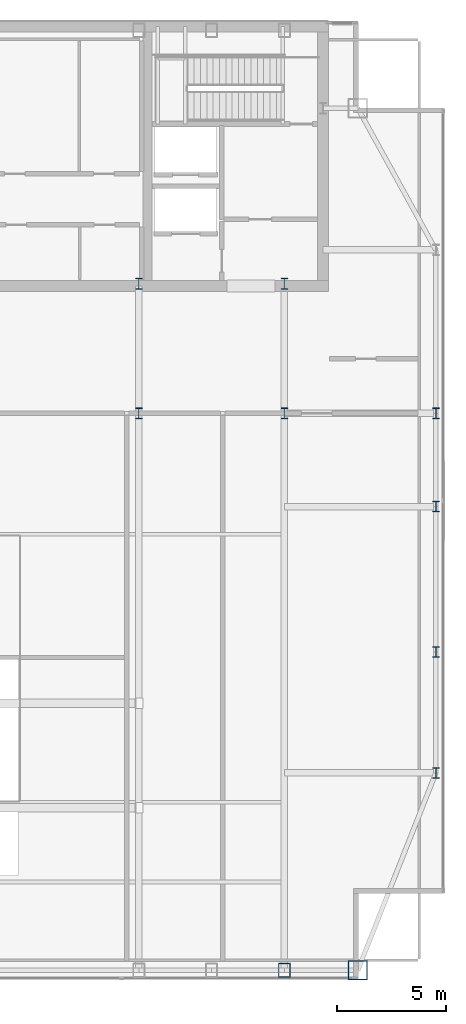
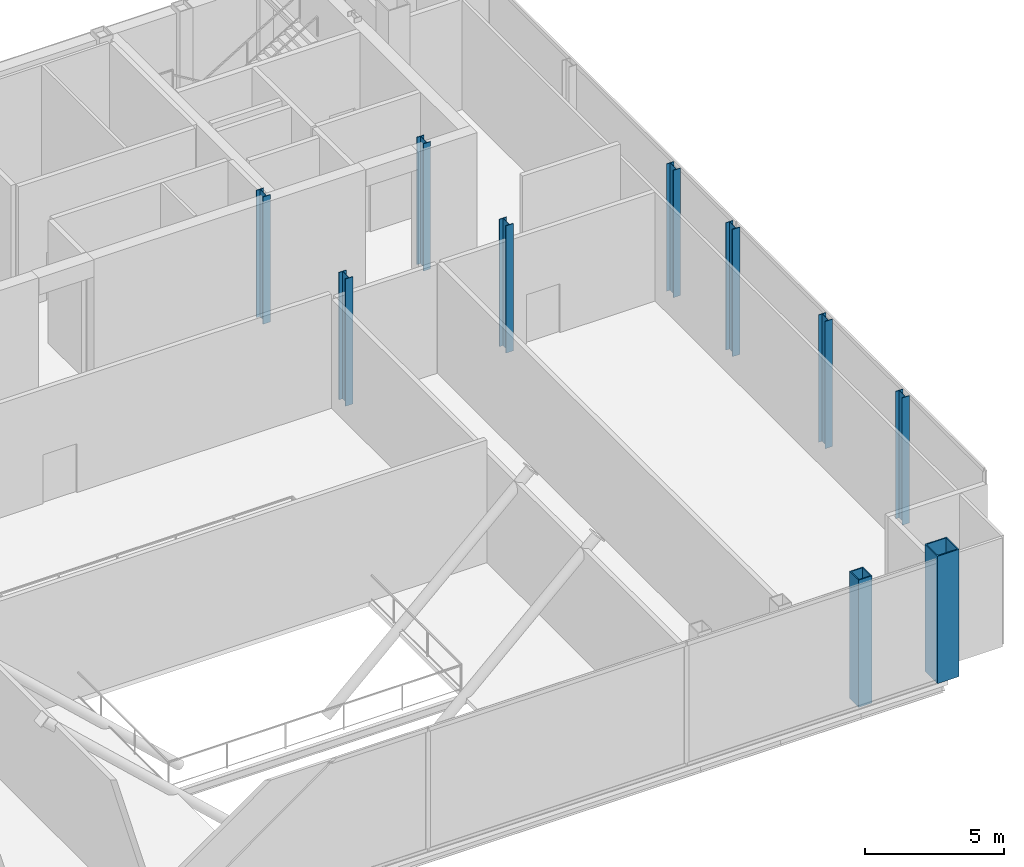
# One storey, part 2 of 23: 10 columns.
"""IFC4 building model written with IfcOpenShell, lengths in metres."""

from ifc_helpers import new_model, si_unit, direction, frame, origin, origin_2d, place, context, subcontext, project, spatial, hollow_rectangle, i_section, extrude, material, material_profile, profile_set, type_object, element, save


model = new_model("IFC4")

# Units and contexts
model_context = context("Model", 3, precision=1e-05, world=origin(), true_north=direction((0.0, 1.0)))
body_context = subcontext(model_context, "Body", "Model", "MODEL_VIEW")
ifc_project = project(units=[si_unit("LENGTHUNIT", "METRE"), si_unit("AREAUNIT", "SQUARE_METRE"), si_unit("VOLUMEUNIT", "CUBIC_METRE"), si_unit("PLANEANGLEUNIT", "RADIAN"), si_unit("MASSUNIT", "GRAM", prefix="KILO")], contexts=[model_context])

# Site, building, storey
site_placement = place(None, origin())
site = spatial("IfcSite", under=ifc_project, at=site_placement, CompositionType="ELEMENT")
building_placement = place(site_placement, origin())
building = spatial("IfcBuilding", under=site, at=building_placement, Name="Khoronbel Lancet Exchange", CompositionType="ELEMENT")
storey_placement = place(building_placement, frame((0.0, 0.0, 356.199951171875)))
storey = spatial("IfcBuildingStorey", under=building, at=storey_placement, Name="L92", CompositionType="ELEMENT", Elevation=356.199951171875)

# Columns
ifc_material_1 = material(Name="Steel S355", Category="steel")
ifc_material_profile_1 = material_profile(ifc_material_1, i_section(OverallWidth=0.300048828125, OverallDepth=0.5, WebThickness=0.014404296875, FlangeThickness=0.028076171875, at=origin_2d()), Name="HEB 500")
ifc_profile_set_1 = profile_set([ifc_material_profile_1], Name="Steel S355")
column_type_1 = type_object("IfcColumnType", Name="COL-CRC1", PredefinedType="COLUMN", material=ifc_profile_set_1)
for number, where, z_axis, x_axis, name in (
    (1, (61.6298828125, 19.199951171875, 0.0), (0.0, 0.0, 1.0), (1.0, 0.0, 0.0), "CROWN FRAME column EC-1 L92"),
    (2, (61.6298828125, 24.75, 0.0), (0.0, 0.0, 1.0), (1.0, 0.0, 0.0), "CROWN FRAME column EC-2 L92"),
    (3, (61.6298828125, 31.425048828125, 0.0), (0.0, 0.0, 1.0), (1.0, 0.0, 0.0), "CROWN FRAME column EC-M L92"),
    (4, (61.6298828125, 35.699951171875, 0.0), (0.0, 0.0, 1.0), (1.0, 0.0, 0.0), "CROWN FRAME column EC-3 L92"),
    (5, (48.0, 35.699951171875, 0.0), (0.0, 0.0, 1.0), (1.0, 0.0, 0.0), "CROWN FRAME spine column TC3 L92"),
    (6, (48.0, 41.64990234375, 0.0), (0.0, 0.0, 1.0), (1.0, 0.0, 0.0), "Core-embedded steel column CTC3 L92"),
    (7, (54.675048828125, 35.699951171875, 0.0), (0.0, 0.0, 1.0), (1.0, 0.0, 0.0), "CROWN FRAME spine column TC4 L92"),
    (8, (54.675048828125, 41.64990234375, 0.0), (0.0, 0.0, 1.0), (1.0, 0.0, 0.0), "Core-embedded steel column CTC4 L92"),
):
    element("IfcColumn", number, at=place(storey_placement, frame(where, z_axis=z_axis, x_axis=x_axis)), inside=storey, type_object=column_type_1, Name=name, PredefinedType="COLUMN", context=body_context, shape_type="SweptSolid", body=[
        extrude(i_section(OverallWidth=0.300048828125, OverallDepth=0.5, WebThickness=0.014404296875, FlangeThickness=0.028076171875, at=origin_2d()), origin(), (0.0, 0.0, 1.0), 5.60009765625),
    ])
ifc_material_2 = material(Name="Steel S460", Category="steel")
ifc_material_profile_2 = material_profile(ifc_material_2, hollow_rectangle(XDim=0.550048828125, YDim=0.64990234375, WallThickness=0.0400390625, at=origin_2d()), Name="BOX 650x550x40")
ifc_profile_set_2 = profile_set([ifc_material_profile_2], Name="Steel S460")
column_type_2 = type_object("IfcColumnType", Name="COL-EC4", PredefinedType="COLUMN", material=ifc_profile_set_2)
column_1_placement = place(storey_placement, frame((54.675048828125, 10.14990234375, 0.0), z_axis=(0.0, 0.0, 1.0), x_axis=(1.0, 0.0, 0.0)))
element("IfcColumn", 9, at=column_1_placement, inside=storey, type_object=column_type_2, Name="CROWN FRAME column SC-E2 L92", PredefinedType="COLUMN", context=body_context, shape_type="SweptSolid", body=[
    extrude(hollow_rectangle(XDim=0.550048828125, YDim=0.64990234375, WallThickness=0.0400390625, at=origin_2d()), origin(), (0.0, 0.0, 1.0), 5.60009765625),
])
ifc_material_profile_3 = material_profile(ifc_material_2, hollow_rectangle(XDim=0.89990234375, YDim=0.89990234375, WallThickness=0.050048828125, at=origin_2d()), Name="BOX 900x900x50")
ifc_profile_set_3 = profile_set([ifc_material_profile_3], Name="Steel S460")
column_type_3 = type_object("IfcColumnType", Name="COL-MC7", PredefinedType="COLUMN", material=ifc_profile_set_3)
column_2_placement = place(storey_placement, frame((58.050048828125, 10.14990234375, 0.0), z_axis=(0.0, 0.0, 1.0), x_axis=(1.0, 0.0, 0.0)))
element("IfcColumn", 10, at=column_2_placement, inside=storey, type_object=column_type_3, Name="CROWN FRAME column MC-SE L92", PredefinedType="COLUMN", context=body_context, shape_type="SweptSolid", body=[
    extrude(hollow_rectangle(XDim=0.89990234375, YDim=0.89990234375, WallThickness=0.050048828125, at=origin_2d()), origin(), (0.0, 0.0, 1.0), 5.60009765625),
])

save(model, "model.ifc")
